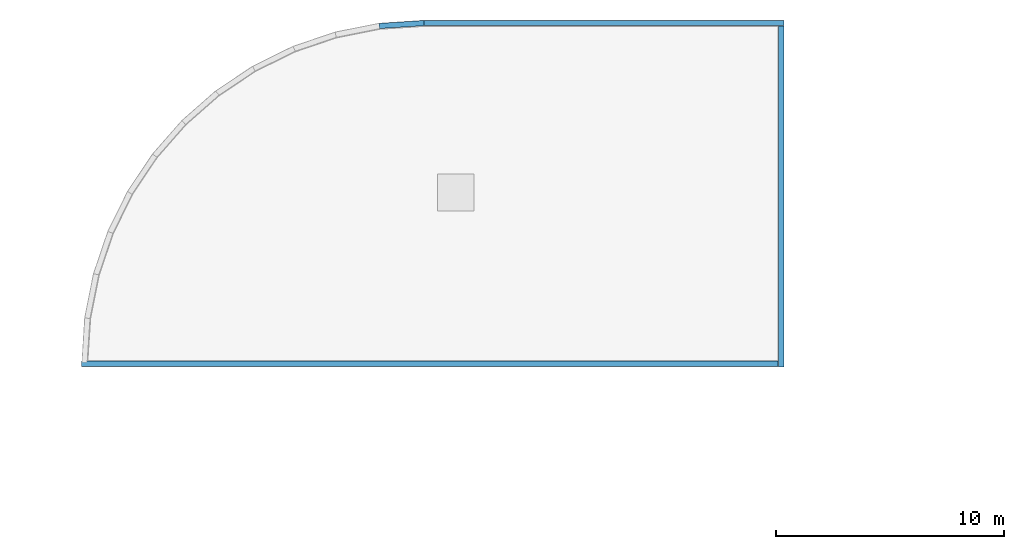
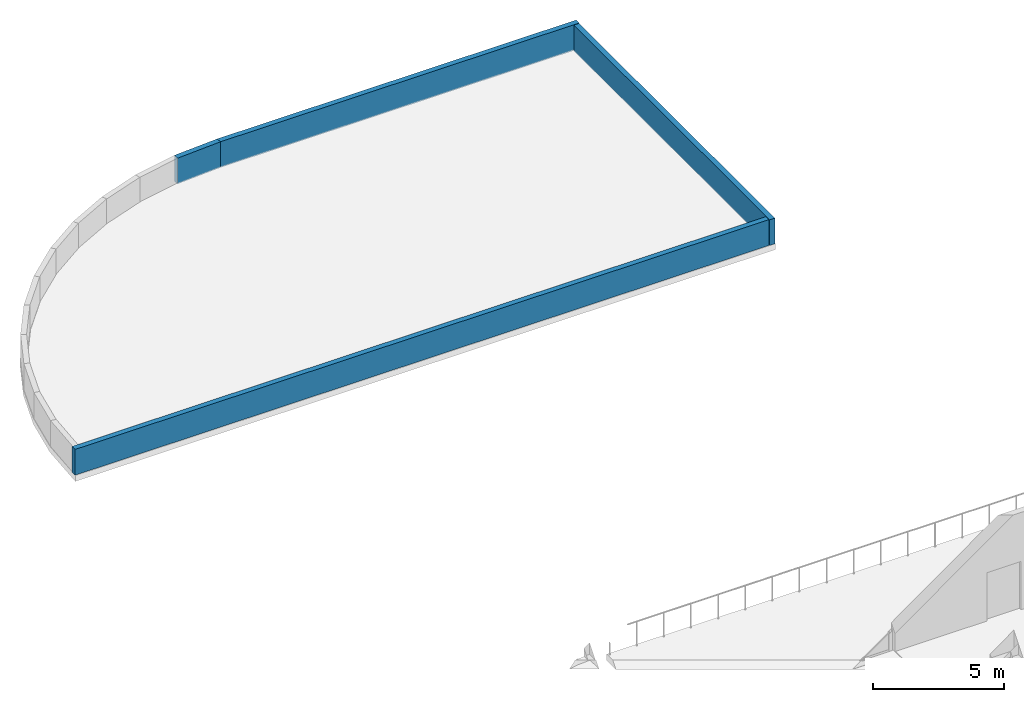
# One storey, part 20 of 23: 4 walls.
"""IFC4 building model written with IfcOpenShell, lengths in metres."""

from ifc_helpers import new_model, si_unit, direction, frame, frame_2d, origin, place, context, subcontext, project, spatial, rectangle, extrude, material, layer, layer_set, type_object, element, save


model = new_model("IFC4")

# Units and contexts
model_context = context("Model", 3, precision=1e-05, world=origin(), true_north=direction((0.0, 1.0)))
body_context = subcontext(model_context, "Body", "Model", "MODEL_VIEW")
ifc_project = project(units=[si_unit("LENGTHUNIT", "METRE"), si_unit("AREAUNIT", "SQUARE_METRE"), si_unit("VOLUMEUNIT", "CUBIC_METRE"), si_unit("PLANEANGLEUNIT", "RADIAN"), si_unit("MASSUNIT", "GRAM", prefix="KILO")], contexts=[model_context])

# Site, building, storey
site_placement = place(None, origin())
site = spatial("IfcSite", under=ifc_project, at=site_placement, CompositionType="ELEMENT")
building_placement = place(site_placement, origin())
building = spatial("IfcBuilding", under=site, at=building_placement, Name="Cendralis Terraced Arcade", CompositionType="ELEMENT")
storey_placement = place(building_placement, frame((0.0, 0.0, 29.39990234375)))
storey = spatial("IfcBuildingStorey", under=building, at=storey_placement, Name="L06", CompositionType="ELEMENT", Elevation=29.39990234375)

# Walls
ifc_material = material(Name="Precast concrete f'c 40 MPa", Category="concrete")
ifc_layer = layer(ifc_material, 0.22998046875, Name="WL-PAR-230")
ifc_layer_set = layer_set([ifc_layer], Name="Precast concrete f'c 40 MPa")
wall_type = type_object("IfcWallType", Name="WL-PAR-230", PredefinedType="PARAPET", material=ifc_layer_set)
wall_1_placement = place(storey_placement, frame((20.65087890625, 84.537109375, 0.0), z_axis=(0.0, 0.0, 1.0), x_axis=(0.997864267614, 0.065321538715, 0.0)))
element("IfcWall", 1, at=wall_1_placement, inside=storey, type_object=wall_type, Name="Precast Concrete Roof Parapet Wall PAR-L06-548", PredefinedType="PARAPET", context=body_context, shape_type="SweptSolid", body=[
    extrude(rectangle(XDim=1.962158203125, YDim=0.22998046875, at=frame_2d((0.98095703125, 0.0))), origin(), (0.0, 0.0, 1.0), 1.2001953125),
])
wall_2_placement = place(storey_placement, frame((22.60009765625, 84.6650390625, 0.0), z_axis=(0.0, 0.0, 1.0), x_axis=(1.0, 0.0, 0.0)))
element("IfcWall", 2, at=wall_2_placement, inside=storey, type_object=wall_type, Name="Precast Concrete Roof Parapet Wall PAR-L06-549", PredefinedType="PARAPET", context=body_context, shape_type="SweptSolid", body=[
    extrude(rectangle(XDim=15.7998046875, YDim=0.22998046875, at=frame_2d((7.89990234375, 0.0))), origin(), (0.0, 0.0, 1.0), 1.2001953125),
])
wall_3_placement = place(storey_placement, frame((38.264892578125, 84.530029296875, 0.0), z_axis=(0.0, 0.0, 1.0), x_axis=(0.0, -1.0, 0.0)))
element("IfcWall", 3, at=wall_3_placement, inside=storey, type_object=wall_type, Name="Precast Concrete Roof Parapet Wall PAR-L06-550", PredefinedType="PARAPET", context=body_context, shape_type="SweptSolid", body=[
    extrude(rectangle(XDim=14.929931640625, YDim=0.22998046875, at=frame_2d((7.46484375, 0.0))), origin(), (0.0, 0.0, 1.0), 1.2001953125),
])
wall_4_placement = place(storey_placement, frame((38.1298828125, 69.735107421875, 0.0), z_axis=(0.0, 0.0, 1.0), x_axis=(-1.0, 0.0, 0.0)))
element("IfcWall", 4, at=wall_4_placement, inside=storey, type_object=wall_type, Name="Precast Concrete Roof Parapet Wall PAR-L06-551", PredefinedType="PARAPET", context=body_context, shape_type="SweptSolid", body=[
    extrude(rectangle(XDim=30.52978515625, YDim=0.22998046875, at=frame_2d((15.264892578125, 0.0))), origin(), (0.0, 0.0, 1.0), 1.2001953125),
])

save(model, "model.ifc")
